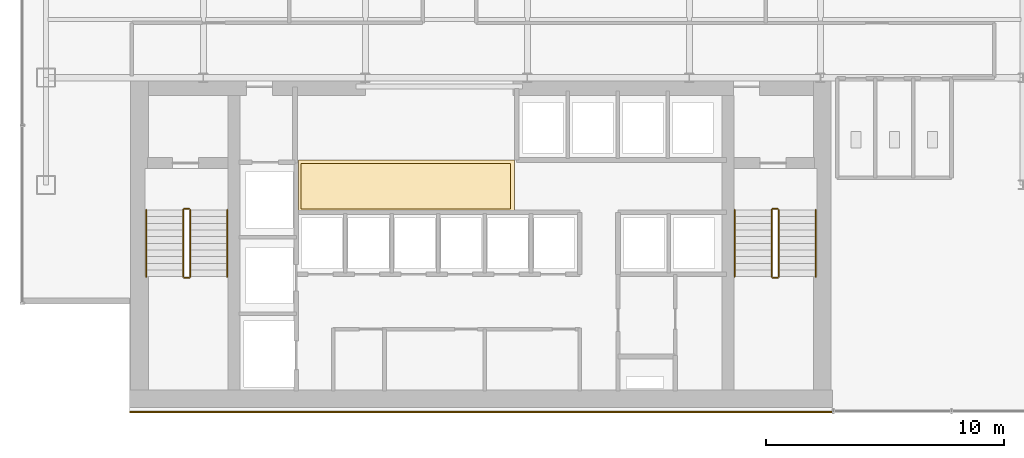
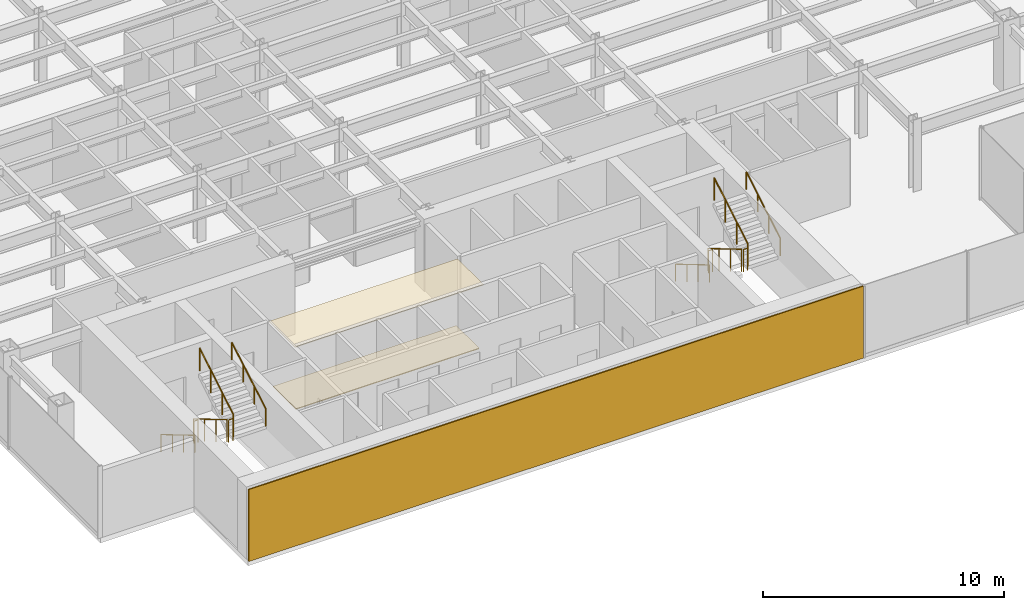
# One storey, part 24 of 26: 12 railings, 3 coverings.
"""IFC4 building model written with IfcOpenShell, lengths in metres."""

from ifc_helpers import new_model, si_unit, derived_unit, direction, frame, origin, origin_2d, place, context, subcontext, project, spatial, polyline, rectangle, circle, outline, extrude, source, transform, mapped, material, layer, layer_set, type_object, element, save


model = new_model("IFC4")

# Units and contexts
model_context = context("Model", 3, precision=1e-05, world=origin(), true_north=direction((0.0, 1.0)))
body_context = subcontext(model_context, "Body", "Model", "MODEL_VIEW")
ifc_project = project(units=[si_unit("LENGTHUNIT", "METRE"), si_unit("AREAUNIT", "SQUARE_METRE"), si_unit("VOLUMEUNIT", "CUBIC_METRE"), si_unit("PLANEANGLEUNIT", "RADIAN"), si_unit("MASSUNIT", "GRAM", prefix="KILO"), derived_unit("THERMALTRANSMITTANCEUNIT", [(si_unit("POWERUNIT", "WATT"), 1), (si_unit("LENGTHUNIT", "METRE"), -2), (si_unit("THERMODYNAMICTEMPERATUREUNIT", "KELVIN"), -1)])], contexts=[model_context])

# Site, building, storey
site_placement = place(None, origin())
site = spatial("IfcSite", under=ifc_project, at=site_placement, CompositionType="ELEMENT")
building_placement = place(site_placement, origin())
building = spatial("IfcBuilding", under=site, at=building_placement, Name="Skarnbrae Concourse Arena and Tower", CompositionType="ELEMENT")
storey_placement = place(building_placement, frame((0.0, 0.0, 128.800048828125)))
storey = spatial("IfcBuildingStorey", under=building, at=storey_placement, Name="L32", CompositionType="ELEMENT", Elevation=128.800048828125)

# Coverings
ifc_material_1 = material(Name="Mineral fibre acoustic ceiling tile", Category="other")
ifc_layer_1 = layer(ifc_material_1, 0.0400390625)
ifc_layer_set_1 = layer_set([ifc_layer_1], Name="Mineral fibre acoustic ceiling tile")
covering_type_1 = type_object("IfcCoveringType", Name="COV-CEIL-ACOUSTIC", PredefinedType="CEILING", material=ifc_layer_set_1)
covering_1_placement = place(storey_placement, frame((0.0, 0.0, 3.239990234375)))
element("IfcCovering", 1, at=covering_1_placement, inside=storey, type_object=covering_type_1, Name="L32 Lift lobby acoustic ceiling", PredefinedType="CEILING", context=body_context, shape_type="SweptSolid", body=[
    extrude(outline(polyline([(11.60009765625, 8.39990234375), (20.64990234375, 8.39990234375), (20.64990234375, 10.550048828125), (11.60009765625, 10.550048828125), (11.60009765625, 8.39990234375)])), origin(), (0.0, 0.0, 1.0), 0.0400390625),
])
ifc_material_2 = material(Name="Polished granite terrazzo flooring", Category="masonry")
ifc_layer_2 = layer(ifc_material_2, 0.0400390625)
ifc_layer_set_2 = layer_set([ifc_layer_2], Name="Polished granite terrazzo flooring")
covering_type_2 = type_object("IfcCoveringType", Name="COV-FLOOR-TERRAZZO", PredefinedType="FLOORING", material=ifc_layer_set_2)
covering_2_placement = place(storey_placement, origin())
element("IfcCovering", 2, at=covering_2_placement, inside=storey, type_object=covering_type_2, Name="L32 Lift lobby terrazzo flooring", PredefinedType="FLOORING", context=body_context, shape_type="SweptSolid", body=[
    extrude(outline(polyline([(11.699951171875, 8.5), (20.5, 8.5), (20.5, 10.39990234375), (11.699951171875, 10.39990234375), (11.699951171875, 8.5)])), origin(), (0.0, 0.0, 1.0), 0.0400390625),
])

# Railings
ifc_material_3 = material(Name="Steel CSA G40.21 350W", Category="steel")
railing_type_1 = type_object("IfcRailingType", Name="RAIL-HANDRAIL-900", PredefinedType="HANDRAIL", material=ifc_material_3)
railing_1_placement = place(storey_placement, frame((5.199951171875, 8.449951171875, 0.165771484375)))
element("IfcRailing", 3, at=railing_1_placement, inside=storey, type_object=railing_type_1, Name="L32 ST-1 stair handrail 1", PredefinedType="HANDRAIL", context=body_context, shape_type="SweptSolid", body=[
    extrude(circle(Radius=0.02392578125, at=origin_2d()), frame((0.0, 0.0, 0.8759765625), z_axis=(0.0, -0.860306154799, 0.50977771628), x_axis=(1.0, 0.0, 0.0)), (0.0, 0.0, 1.0), 3.254638671875),
    extrude(circle(Radius=0.02099609375, at=origin_2d()), origin(), (0.0, 0.0, 1.0), 0.851806640625),
    extrude(circle(Radius=0.02099609375, at=origin_2d()), frame((0.0, -0.933349609375, 0.552978515625)), (0.0, 0.0, 1.0), 0.851806640625),
    extrude(circle(Radius=0.02099609375, at=origin_2d()), frame((0.0, -1.86669921875, 1.106201171875)), (0.0, 0.0, 1.0), 0.851806640625),
    extrude(circle(Radius=0.02099609375, at=origin_2d()), frame((0.0, -2.800048828125, 1.6591796875)), (0.0, 0.0, 1.0), 0.851806640625),
])
railing_2_placement = place(storey_placement, frame((8.60009765625, 5.64990234375, 1.990966796875)))
element("IfcRailing", 4, at=railing_2_placement, inside=storey, type_object=railing_type_1, Name="L32 ST-1 stair handrail 2", PredefinedType="HANDRAIL", context=body_context, shape_type="SweptSolid", body=[
    extrude(circle(Radius=0.02392578125, at=origin_2d()), frame((0.0, 0.0, 0.8759765625), z_axis=(0.0, 0.860339051648, 0.50972219513), x_axis=(-1.0, 0.0, 0.0)), (0.0, 0.0, 1.0), 3.254638671875),
    extrude(circle(Radius=0.02099609375, at=origin_2d()), origin(), (0.0, 0.0, 1.0), 0.851806640625),
    extrude(circle(Radius=0.02099609375, at=origin_2d()), frame((0.0, 0.933349609375, 0.552978515625)), (0.0, 0.0, 1.0), 0.851806640625),
    extrude(circle(Radius=0.02099609375, at=origin_2d()), frame((0.0, 1.86669921875, 1.10595703125)), (0.0, 0.0, 1.0), 0.851806640625),
    extrude(circle(Radius=0.02099609375, at=origin_2d()), frame((0.0, 2.800048828125, 1.658935546875)), (0.0, 0.0, 1.0), 0.851806640625),
])
railing_3_placement = place(storey_placement, frame((29.89990234375, 8.449951171875, 0.165771484375)))
element("IfcRailing", 5, at=railing_3_placement, inside=storey, type_object=railing_type_1, Name="L32 ST-2 stair handrail 1", PredefinedType="HANDRAIL", context=body_context, shape_type="SweptSolid", body=[
    extrude(circle(Radius=0.02392578125, at=origin_2d()), frame((0.0, 0.0, 0.8759765625), z_axis=(0.0, -0.860306154799, 0.50977771628), x_axis=(1.0, 0.0, 0.0)), (0.0, 0.0, 1.0), 3.254638671875),
    extrude(circle(Radius=0.02099609375, at=origin_2d()), origin(), (0.0, 0.0, 1.0), 0.851806640625),
    extrude(circle(Radius=0.02099609375, at=origin_2d()), frame((0.0, -0.933349609375, 0.552978515625)), (0.0, 0.0, 1.0), 0.851806640625),
    extrude(circle(Radius=0.02099609375, at=origin_2d()), frame((0.0, -1.86669921875, 1.106201171875)), (0.0, 0.0, 1.0), 0.851806640625),
    extrude(circle(Radius=0.02099609375, at=origin_2d()), frame((0.0, -2.800048828125, 1.6591796875)), (0.0, 0.0, 1.0), 0.851806640625),
])
railing_4_placement = place(storey_placement, frame((33.300048828125, 5.64990234375, 1.990966796875)))
element("IfcRailing", 6, at=railing_4_placement, inside=storey, type_object=railing_type_1, Name="L32 ST-2 stair handrail 2", PredefinedType="HANDRAIL", context=body_context, shape_type="SweptSolid", body=[
    extrude(circle(Radius=0.02392578125, at=origin_2d()), frame((0.0, 0.0, 0.8759765625), z_axis=(0.0, 0.860339051648, 0.50972219513), x_axis=(-1.0, 0.0, 0.0)), (0.0, 0.0, 1.0), 3.254638671875),
    extrude(circle(Radius=0.02099609375, at=origin_2d()), origin(), (0.0, 0.0, 1.0), 0.851806640625),
    extrude(circle(Radius=0.02099609375, at=origin_2d()), frame((0.0, 0.933349609375, 0.552978515625)), (0.0, 0.0, 1.0), 0.851806640625),
    extrude(circle(Radius=0.02099609375, at=origin_2d()), frame((0.0, 1.86669921875, 1.10595703125)), (0.0, 0.0, 1.0), 0.851806640625),
    extrude(circle(Radius=0.02099609375, at=origin_2d()), frame((0.0, 2.800048828125, 1.658935546875)), (0.0, 0.0, 1.0), 0.851806640625),
])
railing_type_2 = type_object("IfcRailingType", Name="RAIL-STAIR-GUARD-1150", PredefinedType="GUARDRAIL", material=ifc_material_3)
railing_5_placement = place(storey_placement, frame((6.75, 8.449951171875, 0.165771484375)))
element("IfcRailing", 7, at=railing_5_placement, inside=storey, type_object=railing_type_2, Name="L32 ST-1 stair guard 1", PredefinedType="GUARDRAIL", context=body_context, shape_type="SweptSolid", body=[
    extrude(circle(Radius=0.02392578125, at=origin_2d()), frame((0.0, 0.0, 1.1259765625), z_axis=(0.0, -0.860306154799, 0.50977771628), x_axis=(1.0, 0.0, 0.0)), (0.0, 0.0, 1.0), 3.254638671875),
    extrude(circle(Radius=0.02099609375, at=origin_2d()), origin(), (0.0, 0.0, 1.0), 1.101806640625),
    extrude(circle(Radius=0.02099609375, at=origin_2d()), frame((0.0, -0.933349609375, 0.552978515625)), (0.0, 0.0, 1.0), 1.101806640625),
    extrude(circle(Radius=0.02099609375, at=origin_2d()), frame((0.0, -1.86669921875, 1.106201171875)), (0.0, 0.0, 1.0), 1.101806640625),
    extrude(circle(Radius=0.02099609375, at=origin_2d()), frame((0.0, -2.800048828125, 1.6591796875)), (0.0, 0.0, 1.0), 1.101806640625),
])
railing_6_placement = place(storey_placement, frame((6.800048828125, 5.60009765625, 1.824951171875)))
element("IfcRailing", 8, at=railing_6_placement, inside=storey, type_object=railing_type_2, Name="L32 ST-1 stair guard 2", PredefinedType="GUARDRAIL", context=body_context, shape_type="SweptSolid", body=[
    extrude(circle(Radius=0.02392578125, at=origin_2d()), frame((0.0, 0.0, 1.1259765625), z_axis=(1.0, 0.0, 0.0), x_axis=(0.0, 1.0, 0.0)), (0.0, 0.0, 1.0), 0.199951171875),
    extrude(circle(Radius=0.02099609375, at=origin_2d()), origin(), (0.0, 0.0, 1.0), 1.101806640625),
    extrude(circle(Radius=0.02099609375, at=origin_2d()), frame((0.199951171875, 0.0, 0.0)), (0.0, 0.0, 1.0), 1.101806640625),
])
railing_7_placement = place(storey_placement, frame((7.050048828125, 5.64990234375, 1.990966796875)))
element("IfcRailing", 9, at=railing_7_placement, inside=storey, type_object=railing_type_2, Name="L32 ST-1 stair guard 3", PredefinedType="GUARDRAIL", context=body_context, shape_type="SweptSolid", body=[
    extrude(circle(Radius=0.02392578125, at=origin_2d()), frame((0.0, 0.0, 1.1259765625), z_axis=(0.0, 0.860339051648, 0.50972219513), x_axis=(-1.0, 0.0, 0.0)), (0.0, 0.0, 1.0), 3.254638671875),
    extrude(circle(Radius=0.02099609375, at=origin_2d()), origin(), (0.0, 0.0, 1.0), 1.101806640625),
    extrude(circle(Radius=0.02099609375, at=origin_2d()), frame((0.0, 0.933349609375, 0.552978515625)), (0.0, 0.0, 1.0), 1.101806640625),
    extrude(circle(Radius=0.02099609375, at=origin_2d()), frame((0.0, 1.86669921875, 1.10595703125)), (0.0, 0.0, 1.0), 1.101806640625),
    extrude(circle(Radius=0.02099609375, at=origin_2d()), frame((0.0, 2.800048828125, 1.658935546875)), (0.0, 0.0, 1.0), 1.101806640625),
])
railing_8_placement = place(storey_placement, frame((6.800048828125, 8.5, 0.0)))
element("IfcRailing", 10, at=railing_8_placement, inside=storey, type_object=railing_type_2, Name="L32 ST-1 stair guard 4", PredefinedType="GUARDRAIL", context=body_context, shape_type="SweptSolid", body=[
    extrude(circle(Radius=0.02392578125, at=origin_2d()), frame((0.0, 0.0, 1.1259765625), z_axis=(1.0, 0.0, 0.0), x_axis=(0.0, 1.0, 0.0)), (0.0, 0.0, 1.0), 0.199951171875),
    extrude(circle(Radius=0.02099609375, at=origin_2d()), origin(), (0.0, 0.0, 1.0), 1.101806640625),
    extrude(circle(Radius=0.02099609375, at=origin_2d()), frame((0.199951171875, 0.0, 0.0)), (0.0, 0.0, 1.0), 1.101806640625),
])
railing_9_placement = place(storey_placement, frame((31.449951171875, 8.449951171875, 0.165771484375)))
element("IfcRailing", 11, at=railing_9_placement, inside=storey, type_object=railing_type_2, Name="L32 ST-2 stair guard 1", PredefinedType="GUARDRAIL", context=body_context, shape_type="SweptSolid", body=[
    extrude(circle(Radius=0.02392578125, at=origin_2d()), frame((0.0, 0.0, 1.1259765625), z_axis=(0.0, -0.860306154799, 0.50977771628), x_axis=(1.0, 0.0, 0.0)), (0.0, 0.0, 1.0), 3.254638671875),
    extrude(circle(Radius=0.02099609375, at=origin_2d()), origin(), (0.0, 0.0, 1.0), 1.101806640625),
    extrude(circle(Radius=0.02099609375, at=origin_2d()), frame((0.0, -0.933349609375, 0.552978515625)), (0.0, 0.0, 1.0), 1.101806640625),
    extrude(circle(Radius=0.02099609375, at=origin_2d()), frame((0.0, -1.86669921875, 1.106201171875)), (0.0, 0.0, 1.0), 1.101806640625),
    extrude(circle(Radius=0.02099609375, at=origin_2d()), frame((0.0, -2.800048828125, 1.6591796875)), (0.0, 0.0, 1.0), 1.101806640625),
])
railing_10_placement = place(storey_placement, frame((31.5, 5.60009765625, 1.824951171875)))
element("IfcRailing", 12, at=railing_10_placement, inside=storey, type_object=railing_type_2, Name="L32 ST-2 stair guard 2", PredefinedType="GUARDRAIL", context=body_context, shape_type="SweptSolid", body=[
    extrude(circle(Radius=0.02392578125, at=origin_2d()), frame((0.0, 0.0, 1.1259765625), z_axis=(1.0, 0.0, 0.0), x_axis=(0.0, 1.0, 0.0)), (0.0, 0.0, 1.0), 0.199951171875),
    extrude(circle(Radius=0.02099609375, at=origin_2d()), origin(), (0.0, 0.0, 1.0), 1.101806640625),
    extrude(circle(Radius=0.02099609375, at=origin_2d()), frame((0.199951171875, 0.0, 0.0)), (0.0, 0.0, 1.0), 1.101806640625),
])
railing_11_placement = place(storey_placement, frame((31.75, 5.64990234375, 1.990966796875)))
element("IfcRailing", 13, at=railing_11_placement, inside=storey, type_object=railing_type_2, Name="L32 ST-2 stair guard 3", PredefinedType="GUARDRAIL", context=body_context, shape_type="SweptSolid", body=[
    extrude(circle(Radius=0.02392578125, at=origin_2d()), frame((0.0, 0.0, 1.1259765625), z_axis=(0.0, 0.860339051648, 0.50972219513), x_axis=(-1.0, 0.0, 0.0)), (0.0, 0.0, 1.0), 3.254638671875),
    extrude(circle(Radius=0.02099609375, at=origin_2d()), origin(), (0.0, 0.0, 1.0), 1.101806640625),
    extrude(circle(Radius=0.02099609375, at=origin_2d()), frame((0.0, 0.933349609375, 0.552978515625)), (0.0, 0.0, 1.0), 1.101806640625),
    extrude(circle(Radius=0.02099609375, at=origin_2d()), frame((0.0, 1.86669921875, 1.10595703125)), (0.0, 0.0, 1.0), 1.101806640625),
    extrude(circle(Radius=0.02099609375, at=origin_2d()), frame((0.0, 2.800048828125, 1.658935546875)), (0.0, 0.0, 1.0), 1.101806640625),
])
railing_12_placement = place(storey_placement, frame((31.5, 8.5, 0.0)))
element("IfcRailing", 14, at=railing_12_placement, inside=storey, type_object=railing_type_2, Name="L32 ST-2 stair guard 4", PredefinedType="GUARDRAIL", context=body_context, shape_type="SweptSolid", body=[
    extrude(circle(Radius=0.02392578125, at=origin_2d()), frame((0.0, 0.0, 1.1259765625), z_axis=(1.0, 0.0, 0.0), x_axis=(0.0, 1.0, 0.0)), (0.0, 0.0, 1.0), 0.199951171875),
    extrude(circle(Radius=0.02099609375, at=origin_2d()), origin(), (0.0, 0.0, 1.0), 1.101806640625),
    extrude(circle(Radius=0.02099609375, at=origin_2d()), frame((0.199951171875, 0.0, 0.0)), (0.0, 0.0, 1.0), 1.101806640625),
])

# Covering
ifc_material_4 = material(Name="Bronze anodised aluminium 6063-T6", Category="aluminium")
ifc_layer_3 = layer(ifc_material_4, 0.06005859375)
ifc_layer_set_3 = layer_set([ifc_layer_3], Name="Bronze anodised aluminium 6063-T6")
covering_type_3 = type_object("IfcCoveringType", Name="COV-CLAD-BRONZE-60", PredefinedType="CLADDING", material=ifc_layer_set_3)
shared_shape = source(origin(), body_context, "Body", "SweptSolid", [
    extrude(rectangle(XDim=29.5, YDim=0.06005859375, at=origin_2d()), origin(), (0.0, 0.0, 1.0), 3.64990234375),
])
covering_3_placement = place(storey_placement, frame((19.25, -0.030029296875, 0.0), z_axis=(0.0, 0.0, 1.0), x_axis=(1.0, 0.0, 0.0)))
element("IfcCovering", 15, at=covering_3_placement, inside=storey, type_object=covering_type_3, Name="L32 Rear-core plumb spine bronze rainscreen panel", PredefinedType="CLADDING", context=body_context, shape_type="MappedRepresentation", body=[
    mapped(shared_shape, transform((0.0, 0.0, 0.0))),
])

save(model, "model.ifc")
